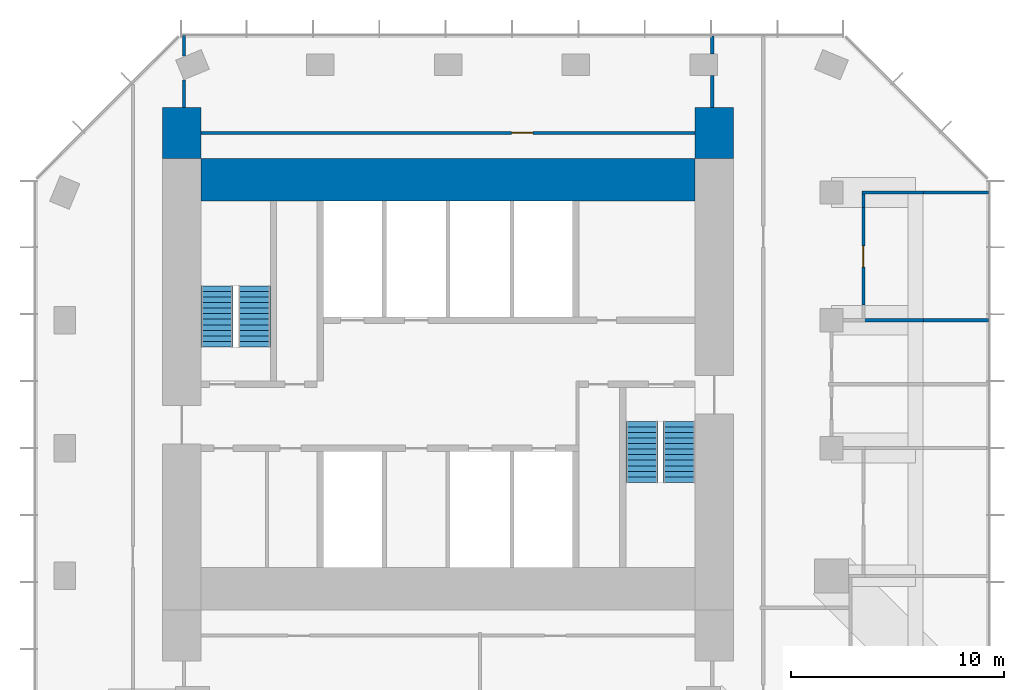
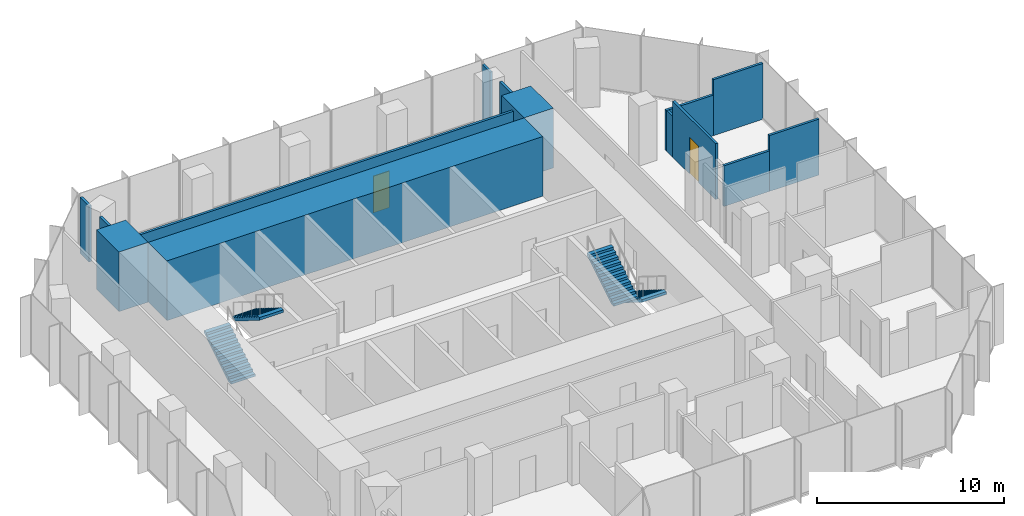
# One storey, part 10 of 11: 14 walls, 4 stair flights, 2 doors, 2 openings, 2 elements without a shape of their own.
"""IFC4 building model written with IfcOpenShell, lengths in metres."""

from ifc_helpers import new_model, si_unit, direction, frame, frame_2d, origin, place, context, subcontext, project, spatial, polyline, rectangle, outline, extrude, material, layer, layer_set, type_object, element, fill, aggregate, save


model = new_model("IFC4")

# Units and contexts
model_context = context("Model", 3, precision=1e-05, world=origin(), true_north=direction((0.0, 1.0)))
body_context = subcontext(model_context, "Body", "Model", "MODEL_VIEW")
ifc_project = project(units=[si_unit("LENGTHUNIT", "METRE"), si_unit("AREAUNIT", "SQUARE_METRE"), si_unit("VOLUMEUNIT", "CUBIC_METRE"), si_unit("PLANEANGLEUNIT", "RADIAN"), si_unit("MASSUNIT", "GRAM", prefix="KILO")], contexts=[model_context])

# Site, building, storey
site_placement = place(None, origin())
site = spatial("IfcSite", under=ifc_project, at=site_placement, CompositionType="ELEMENT")
building_placement = place(site_placement, origin())
building = spatial("IfcBuilding", under=site, at=building_placement, Name="Highveld Stack Headquarters", CompositionType="ELEMENT")
storey_placement = place(building_placement, frame((0.0, 0.0, 284.0)))
storey = spatial("IfcBuildingStorey", under=building, at=storey_placement, Name="L70", CompositionType="ELEMENT", Elevation=284.0)

# Walls
ifc_material_1 = material(Name="Concrete C60/75", Category="concrete")
ifc_layer_1 = layer(ifc_material_1, 2.0)
ifc_layer_set_1 = layer_set([ifc_layer_1], Name="Concrete C60/75")
wall_type_1 = type_object("IfcWallType", Name="CORE WALL 2000 C60/75", PredefinedType="SHEAR", material=ifc_layer_set_1)
wall_1_placement = place(storey_placement, frame((-5.60009765625, 12.60009765625, 0.0), z_axis=(0.0, 0.0, 1.0), x_axis=(1.0, 0.0, 0.0)))
element("IfcWall", 1, at=wall_1_placement, inside=storey, type_object=wall_type_1, Name="Core wall N L70", PredefinedType="SHEAR", context=body_context, shape_type="SweptSolid", body=[
    extrude(rectangle(XDim=23.2001953125, YDim=2.0, at=frame_2d((11.60009765625, 0.0))), origin(), (0.0, 0.0, 1.0), 3.89990234375),
])
ifc_material_2 = material(Name="Concrete C60/75", Category="concrete")
ifc_layer_2 = layer(ifc_material_2, 1.800048828125)
ifc_layer_set_2 = layer_set([ifc_layer_2], Name="Concrete C60/75")
wall_type_2 = type_object("IfcWallType", Name="CORE WING WALL 1800 C60/75", PredefinedType="SHEAR", material=ifc_layer_set_2)
for number, where, z_axis, x_axis, name in (
    (2, (-6.5, 13.60009765625, 0.0), (0.0, 0.0, 1.0), (0.0, 1.0, 0.0), "Core wing wall WN L70"),
    (3, (18.5, 13.60009765625, 0.0), (0.0, 0.0, 1.0), (0.0, 1.0, 0.0), "Core wing wall EN L70"),
):
    element("IfcWall", number, at=place(storey_placement, frame(where, z_axis=z_axis, x_axis=x_axis)), inside=storey, type_object=wall_type_2, Name=name, PredefinedType="SHEAR", context=body_context, shape_type="SweptSolid", body=[
        extrude(rectangle(XDim=2.39990234375, YDim=1.800048828125, at=frame_2d((1.199951171875, 0.0))), origin(), (0.0, 0.0, 1.0), 3.89990234375),
    ])
ifc_material_3 = material(Name="Gypsum plasterboard on steel studs", Category="steel")
ifc_layer_3 = layer(ifc_material_3, 0.14990234375)
ifc_layer_set_3 = layer_set([ifc_layer_3], Name="Gypsum plasterboard on steel studs")
wall_type_3 = type_object("IfcWallType", Name="PARTITION 150 PLASTERBOARD", PredefinedType="PARTITIONING", material=ifc_layer_set_3)
wall_2_placement = place(storey_placement, frame((25.5, 6.0, 0.0), z_axis=(0.0, 0.0, 1.0), x_axis=(1.0, 0.0, 0.0)))
element("IfcWall", 4, at=wall_2_placement, inside=storey, type_object=wall_type_3, Name="Partition Office / Quiet room L70", PredefinedType="PARTITIONING", context=body_context, shape_type="SweptSolid", body=[
    extrude(rectangle(XDim=2.81005859375, YDim=0.14990234375, at=frame_2d((1.405029296875, 0.0))), origin(), (0.0, 0.0, 1.0), 2.64990234375),
])
wall_3_placement = place(storey_placement, frame((28.31005859375, 6.0, 0.0), z_axis=(0.0, 0.0, 1.0), x_axis=(1.0, 0.0, 0.0)))
element("IfcWall", 5, at=wall_3_placement, inside=storey, type_object=wall_type_3, Name="Partition Office / Quiet room L70", PredefinedType="PARTITIONING", context=body_context, shape_type="SweptSolid", body=[
    extrude(rectangle(XDim=3.06494140625, YDim=0.14990234375, at=frame_2d((1.532470703125, 0.0))), origin(), (0.0, 0.0, 1.0), 3.64990234375),
])
wall_4_placement = place(storey_placement, frame((25.425048828125, 12.0, 0.0), z_axis=(0.0, 0.0, 1.0), x_axis=(1.0, 0.0, 0.0)))
element("IfcWall", 6, at=wall_4_placement, inside=storey, type_object=wall_type_3, Name="Partition Quiet room L70", PredefinedType="PARTITIONING", context=body_context, shape_type="SweptSolid", body=[
    extrude(rectangle(XDim=2.885009765625, YDim=0.14990234375, at=frame_2d((1.4423828125, 0.0))), origin(), (0.0, 0.0, 1.0), 2.64990234375),
])
wall_5_placement = place(storey_placement, frame((28.31005859375, 12.0, 0.0), z_axis=(0.0, 0.0, 1.0), x_axis=(1.0, 0.0, 0.0)))
element("IfcWall", 7, at=wall_5_placement, inside=storey, type_object=wall_type_3, Name="Partition Quiet room L70", PredefinedType="PARTITIONING", context=body_context, shape_type="SweptSolid", body=[
    extrude(rectangle(XDim=3.06494140625, YDim=0.14990234375, at=frame_2d((1.532470703125, 0.0))), origin(), (0.0, 0.0, 1.0), 3.64990234375),
])

# Wall, opening, door
wall_6_placement = place(storey_placement, frame((25.5, 6.7099609375, 0.0), z_axis=(0.0, 0.0, 1.0), x_axis=(0.0, 1.0, 0.0)))
wall_6 = element("IfcWall", 8, at=wall_6_placement, inside=storey, type_object=wall_type_3, Name="Partition Quiet room L70", PredefinedType="PARTITIONING", context=body_context, shape_type="SweptSolid", body=[
    extrude(rectangle(XDim=4.580078125, YDim=0.14990234375, at=frame_2d((2.2900390625, 0.0))), origin(), (0.0, 0.0, 1.0), 3.64990234375),
])
opening_1_placement = place(wall_6_placement, frame((1.7900390625, 0.0, 0.0)))
opening_1 = element("IfcOpeningElement", 9, at=opening_1_placement, cuts=wall_6, Name="Opening L70-18", PredefinedType="OPENING", context=body_context, shape_type="SweptSolid", body=[
    extrude(rectangle(XDim=1.0, YDim=2.39990234375, at=frame_2d((0.5, 1.199951171875))), frame((0.0, 0.0849609375, 0.0), z_axis=(0.0, -1.0, 0.0), x_axis=(1.0, 0.0, 0.0)), (0.0, 0.0, 1.0), 0.169921875),
])
ifc_material_4 = material(Name="Timber door, oiled ash", Category="wood")
door_type = type_object("IfcDoorType", Name="ROOM DOOR D11 1000x2400", OperationType="SINGLE_SWING_LEFT", PredefinedType="DOOR", material=ifc_material_4)
door_1_placement = place(opening_1_placement, origin())
door_1 = element("IfcDoor", 10, at=door_1_placement, inside=storey, type_object=door_type, Name="Quiet room door 1 L70", OperationType="SINGLE_SWING_LEFT", OverallHeight=2.39990234375, OverallWidth=1.0, PredefinedType="DOOR", context=body_context, shape_type="SweptSolid", body=[
    extrude(rectangle(XDim=1.0, YDim=2.39990234375, at=frame_2d((0.5, 1.199951171875))), frame((0.0, 0.02490234375, 0.0), z_axis=(0.0, -1.0, 0.0), x_axis=(1.0, 0.0, 0.0)), (0.0, 0.0, 1.0), 0.050048828125),
])
fill(opening_1, door_1)

# Walls
wall_7_placement = place(storey_placement, frame((25.5, 11.2900390625, 0.0), z_axis=(0.0, 0.0, 1.0), x_axis=(0.0, 1.0, 0.0)))
element("IfcWall", 11, at=wall_7_placement, inside=storey, type_object=wall_type_3, Name="Partition Quiet room L70", PredefinedType="PARTITIONING", context=body_context, shape_type="SweptSolid", body=[
    extrude(rectangle(XDim=0.635009765625, YDim=0.14990234375, at=frame_2d((0.3173828125, 0.0))), origin(), (0.0, 0.0, 1.0), 2.64990234375),
])
wall_8_placement = place(storey_placement, frame((-6.39990234375, 16.0, 0.0), z_axis=(0.0, 0.0, 1.0), x_axis=(0.0, 1.0, 0.0)))
element("IfcWall", 12, at=wall_8_placement, inside=storey, type_object=wall_type_3, Name="Partition office neighbourhood L70", PredefinedType="PARTITIONING", context=body_context, shape_type="SweptSolid", body=[
    extrude(rectangle(XDim=1.289306640625, YDim=0.14990234375, at=frame_2d((0.64453125, 0.0))), origin(), (0.0, 0.0, 1.0), 3.64990234375),
])
wall_9_placement = place(storey_placement, frame((-6.39990234375, 18.406494140625, 0.0), z_axis=(0.0, 0.0, 1.0), x_axis=(0.0, 1.0, 0.0)))
element("IfcWall", 13, at=wall_9_placement, inside=storey, type_object=wall_type_3, Name="Partition office neighbourhood L70", PredefinedType="PARTITIONING", context=body_context, shape_type="SweptSolid", body=[
    extrude(rectangle(XDim=0.968505859375, YDim=0.14990234375, at=frame_2d((0.484375, 0.0))), origin(), (0.0, 0.0, 1.0), 3.64990234375),
])

# Wall, opening, door
wall_10_placement = place(storey_placement, frame((-5.60009765625, 14.800048828125, 0.0), z_axis=(0.0, 0.0, 1.0), x_axis=(1.0, 0.0, 0.0)))
wall_10 = element("IfcWall", 14, at=wall_10_placement, inside=storey, type_object=wall_type_3, Name="Partition office neighbourhood L70", PredefinedType="PARTITIONING", context=body_context, shape_type="SweptSolid", body=[
    extrude(rectangle(XDim=23.2001953125, YDim=0.14990234375, at=frame_2d((11.60009765625, 0.0))), origin(), (0.0, 0.0, 1.0), 3.64990234375),
])
opening_2_placement = place(wall_10_placement, frame((14.580078125, 0.0, 0.0)))
opening_2 = element("IfcOpeningElement", 15, at=opening_2_placement, cuts=wall_10, Name="Opening L70-24", PredefinedType="OPENING", context=body_context, shape_type="SweptSolid", body=[
    extrude(rectangle(XDim=1.0, YDim=2.39990234375, at=frame_2d((0.5, 1.199951171875))), frame((0.0, 0.0849609375, 0.0), z_axis=(0.0, -1.0, 0.0), x_axis=(1.0, 0.0, 0.0)), (0.0, 0.0, 1.0), 0.169921875),
])
door_2_placement = place(opening_2_placement, origin())
door_2 = element("IfcDoor", 16, at=door_2_placement, inside=storey, type_object=door_type, Name="Office neighbourhood door L70", OperationType="SINGLE_SWING_RIGHT", OverallHeight=2.39990234375, OverallWidth=1.0, PredefinedType="DOOR", context=body_context, shape_type="SweptSolid", body=[
    extrude(rectangle(XDim=1.0, YDim=2.39990234375, at=frame_2d((0.5, 1.199951171875))), frame((0.0, 0.02490234375, 0.0), z_axis=(0.0, -1.0, 0.0), x_axis=(1.0, 0.0, 0.0)), (0.0, 0.0, 1.0), 0.050048828125),
])
fill(opening_2, door_2)

# Walls
wall_11_placement = place(storey_placement, frame((18.39990234375, 16.0, 0.0), z_axis=(0.0, 0.0, 1.0), x_axis=(0.0, 1.0, 0.0)))
element("IfcWall", 17, at=wall_11_placement, inside=storey, type_object=wall_type_3, Name="Partition office neighbourhood L70", PredefinedType="PARTITIONING", context=body_context, shape_type="SweptSolid", body=[
    extrude(rectangle(XDim=1.5, YDim=0.14990234375, at=frame_2d((0.75, 0.0))), origin(), (0.0, 0.0, 1.0), 3.64990234375),
])
wall_12_placement = place(storey_placement, frame((18.39990234375, 18.5, 0.0), z_axis=(0.0, 0.0, 1.0), x_axis=(0.0, 1.0, 0.0)))
element("IfcWall", 18, at=wall_12_placement, inside=storey, type_object=wall_type_3, Name="Partition office neighbourhood L70", PredefinedType="PARTITIONING", context=body_context, shape_type="SweptSolid", body=[
    extrude(rectangle(XDim=0.85009765625, YDim=0.14990234375, at=frame_2d((0.425048828125, 0.0))), origin(), (0.0, 0.0, 1.0), 3.64990234375),
])

# Stair, stair flights
ifc_material_5 = material(Name="Concrete C40/50, precast", Category="concrete")
stair_type_1 = type_object("IfcStairType", Name="STAIR S1 HALF TURN 1500", PredefinedType="HALF_TURN_STAIR", material=ifc_material_5)
stair_1_placement = place(storey_placement, origin())
stair_1 = element("IfcStair", 19, at=stair_1_placement, inside=storey, type_object=stair_type_1, Name="Stair S1 L70", PredefinedType="HALF_TURN_STAIR")
ifc_material_6 = material(Name="Concrete C40/50, precast", Category="concrete")
stair_flight_type = type_object("IfcStairFlightType", Name="STAIR FLIGHT 1500 PRECAST", PredefinedType="STRAIGHT", material=ifc_material_6)
stair_flight_1_placement = place(storey_placement, frame((-4.85009765625, 4.75, 0.0), z_axis=(0.0, 0.0, 1.0), x_axis=(0.0, 1.0, 0.0)))
stair_flight_1 = element("IfcStairFlight", 20, at=stair_flight_1_placement, type_object=stair_flight_type, Name="S1 flight 1", NumberOfRisers=12, NumberOfTreads=11, PredefinedType="STRAIGHT", RiserHeight=0.1625, TreadLength=0.26, context=body_context, shape_type="SweptSolid", body=[
    extrude(outline(polyline([(0.0, 0.0), (0.0, 0.16259765625), (0.260009765625, 0.16259765625), (0.260009765625, 0.324951171875), (0.52001953125, 0.324951171875), (0.52001953125, 0.487548828125), (0.780029296875, 0.487548828125), (0.780029296875, 0.64990234375), (1.0400390625, 0.64990234375), (1.0400390625, 0.8125), (1.300048828125, 0.8125), (1.300048828125, 0.97509765625), (1.56005859375, 0.97509765625), (1.56005859375, 1.137451171875), (1.820068359375, 1.137451171875), (1.820068359375, 1.300048828125), (2.080078125, 1.300048828125), (2.080078125, 1.46240234375), (2.340087890625, 1.46240234375), (2.340087890625, 1.625), (2.60009765625, 1.625), (2.60009765625, 1.78759765625), (2.860107421875, 1.78759765625), (2.860107421875, 1.949951171875), (2.860107421875, 1.61083984375), (0.28271484375, 0.0), (0.0, 0.0)])), frame((0.0, 0.75, 0.0), z_axis=(0.0, -1.0, 0.0), x_axis=(1.0, 0.0, 0.0)), (0.0, 0.0, 1.0), 1.5),
])
stair_flight_2_placement = place(storey_placement, frame((-3.10009765625, 7.610107421875, 1.949951171875), z_axis=(0.0, 0.0, 1.0), x_axis=(0.0, -1.0, 0.0)))
stair_flight_2 = element("IfcStairFlight", 21, at=stair_flight_2_placement, type_object=stair_flight_type, Name="S1 flight 2", NumberOfRisers=12, NumberOfTreads=11, PredefinedType="STRAIGHT", RiserHeight=0.1625, TreadLength=0.26, context=body_context, shape_type="SweptSolid", body=[
    extrude(outline(polyline([(0.0, 0.0), (0.0, 0.16259765625), (0.260009765625, 0.16259765625), (0.260009765625, 0.324951171875), (0.52001953125, 0.324951171875), (0.52001953125, 0.487548828125), (0.780029296875, 0.487548828125), (0.780029296875, 0.64990234375), (1.0400390625, 0.64990234375), (1.0400390625, 0.8125), (1.300048828125, 0.8125), (1.300048828125, 0.97509765625), (1.56005859375, 0.97509765625), (1.56005859375, 1.137451171875), (1.820068359375, 1.137451171875), (1.820068359375, 1.300048828125), (2.080078125, 1.300048828125), (2.080078125, 1.46240234375), (2.340087890625, 1.46240234375), (2.340087890625, 1.625), (2.60009765625, 1.625), (2.60009765625, 1.78759765625), (2.860107421875, 1.78759765625), (2.860107421875, 1.949951171875), (2.860107421875, 1.61083984375), (0.28271484375, 0.0), (0.0, 0.0)])), frame((0.0, 0.75, 0.0), z_axis=(0.0, -1.0, 0.0), x_axis=(1.0, 0.0, 0.0)), (0.0, 0.0, 1.0), 1.5),
])
aggregate(stair_1, [stair_flight_1, stair_flight_2])

ifc_material_7 = material(Name="Concrete C40/50, precast", Category="concrete")
stair_type_2 = type_object("IfcStairType", Name="STAIR S2 HALF TURN 1500", PredefinedType="HALF_TURN_STAIR", material=ifc_material_7)
stair_2_placement = place(storey_placement, origin())
stair_2 = element("IfcStair", 22, at=stair_2_placement, inside=storey, type_object=stair_type_2, Name="Stair S2 L70", PredefinedType="HALF_TURN_STAIR")
stair_flight_3_placement = place(storey_placement, frame((16.85009765625, 1.25, 0.0), z_axis=(0.0, 0.0, 1.0), x_axis=(0.0, -1.0, 0.0)))
stair_flight_3 = element("IfcStairFlight", 23, at=stair_flight_3_placement, type_object=stair_flight_type, Name="S2 flight 1", NumberOfRisers=12, NumberOfTreads=11, PredefinedType="STRAIGHT", RiserHeight=0.1625, TreadLength=0.26, context=body_context, shape_type="SweptSolid", body=[
    extrude(outline(polyline([(0.0, 0.0), (0.0, 0.16259765625), (0.260009765625, 0.16259765625), (0.260009765625, 0.324951171875), (0.52001953125, 0.324951171875), (0.52001953125, 0.487548828125), (0.780029296875, 0.487548828125), (0.780029296875, 0.64990234375), (1.0400390625, 0.64990234375), (1.0400390625, 0.8125), (1.300048828125, 0.8125), (1.300048828125, 0.97509765625), (1.56005859375, 0.97509765625), (1.56005859375, 1.137451171875), (1.820068359375, 1.137451171875), (1.820068359375, 1.300048828125), (2.080078125, 1.300048828125), (2.080078125, 1.46240234375), (2.340087890625, 1.46240234375), (2.340087890625, 1.625), (2.60009765625, 1.625), (2.60009765625, 1.78759765625), (2.860107421875, 1.78759765625), (2.860107421875, 1.949951171875), (2.860107421875, 1.61083984375), (0.28271484375, 0.0), (0.0, 0.0)])), frame((0.0, 0.75, 0.0), z_axis=(0.0, -1.0, 0.0), x_axis=(1.0, 0.0, 0.0)), (0.0, 0.0, 1.0), 1.5),
])
stair_flight_4_placement = place(storey_placement, frame((15.10009765625, -1.610107421875, 1.949951171875), z_axis=(0.0, 0.0, 1.0), x_axis=(0.0, 1.0, 0.0)))
stair_flight_4 = element("IfcStairFlight", 24, at=stair_flight_4_placement, type_object=stair_flight_type, Name="S2 flight 2", NumberOfRisers=12, NumberOfTreads=11, PredefinedType="STRAIGHT", RiserHeight=0.1625, TreadLength=0.26, context=body_context, shape_type="SweptSolid", body=[
    extrude(outline(polyline([(0.0, 0.0), (0.0, 0.16259765625), (0.260009765625, 0.16259765625), (0.260009765625, 0.324951171875), (0.52001953125, 0.324951171875), (0.52001953125, 0.487548828125), (0.780029296875, 0.487548828125), (0.780029296875, 0.64990234375), (1.0400390625, 0.64990234375), (1.0400390625, 0.8125), (1.300048828125, 0.8125), (1.300048828125, 0.97509765625), (1.56005859375, 0.97509765625), (1.56005859375, 1.137451171875), (1.820068359375, 1.137451171875), (1.820068359375, 1.300048828125), (2.080078125, 1.300048828125), (2.080078125, 1.46240234375), (2.340087890625, 1.46240234375), (2.340087890625, 1.625), (2.60009765625, 1.625), (2.60009765625, 1.78759765625), (2.860107421875, 1.78759765625), (2.860107421875, 1.949951171875), (2.860107421875, 1.61083984375), (0.28271484375, 0.0), (0.0, 0.0)])), frame((0.0, 0.75, 0.0), z_axis=(0.0, -1.0, 0.0), x_axis=(1.0, 0.0, 0.0)), (0.0, 0.0, 1.0), 1.5),
])
aggregate(stair_2, [stair_flight_3, stair_flight_4])

save(model, "model.ifc")
